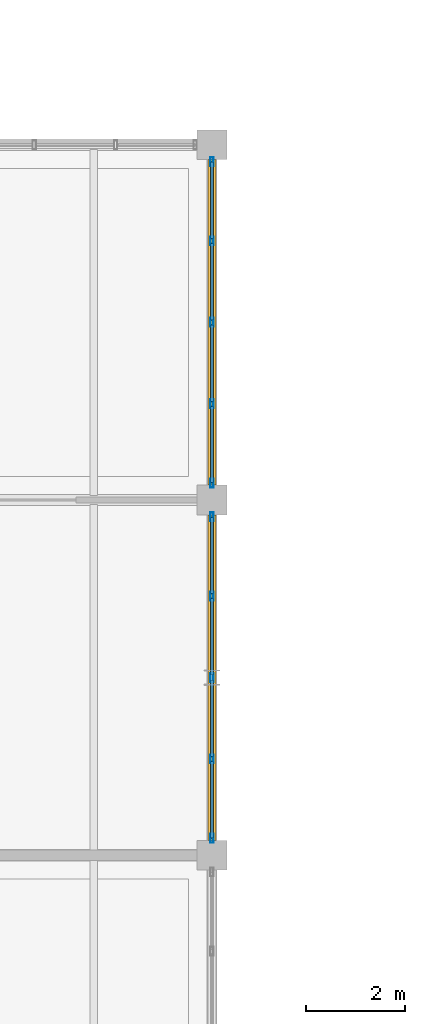
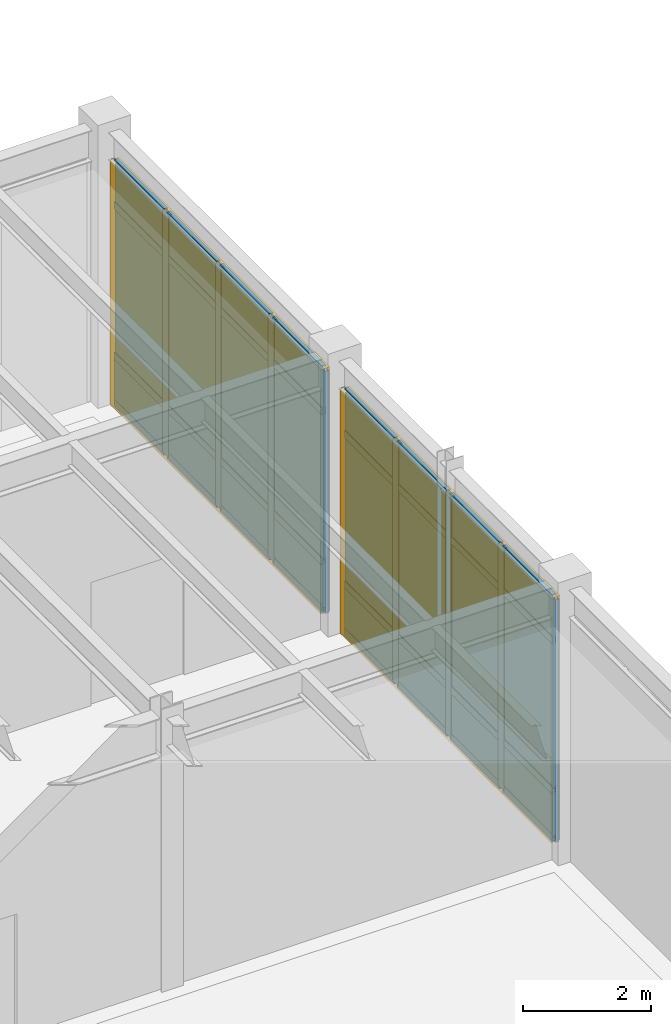
# One storey, part 82 of 97: 42 members, 16 plates, 2 curtain walls.
"""IFC4 building model written with IfcOpenShell, lengths in metres."""

from ifc_helpers import new_model, si_unit, direction, frame, origin, origin_2d, place, context, subcontext, project, spatial, rectangle, hollow_rectangle, extrude, material, layer, layer_set, material_profile, profile_set, type_object, element, aggregate, save


model = new_model("IFC4")

# Units and contexts
model_context = context("Model", 3, precision=1e-05, world=origin(), true_north=direction((0.0, 1.0)))
body_context = subcontext(model_context, "Body", "Model", "MODEL_VIEW")
ifc_project = project(units=[si_unit("LENGTHUNIT", "METRE"), si_unit("AREAUNIT", "SQUARE_METRE"), si_unit("VOLUMEUNIT", "CUBIC_METRE"), si_unit("PLANEANGLEUNIT", "RADIAN"), si_unit("MASSUNIT", "GRAM", prefix="KILO")], contexts=[model_context])

# Member
ifc_material_1 = material(Name="Anodized Aluminium 6063-T6", Category="aluminium")
ifc_material_profile_1 = material_profile(ifc_material_1, hollow_rectangle(XDim=0.06494140625, YDim=0.179931640625, WallThickness=0.00390625, at=origin_2d()), Name="ALU 65x180x4")
ifc_profile_set_1 = profile_set([ifc_material_profile_1], Name="Anodized Aluminium 6063-T6")
member_type_1 = type_object("IfcMemberType", Name="CWM-65X150", PredefinedType="MULLION", material=ifc_profile_set_1)
site_placement = place(None, origin())
building_placement = place(site_placement, origin())
storey_placement = place(building_placement, origin())
member_1_placement = place(storey_placement, frame((144.0, 50.06005859375, 0.02001953125), z_axis=(0.0, 0.0, 1.0), x_axis=(1.0, 0.0, 0.0)))
member_1 = element("IfcMember", 1, at=member_1_placement, type_object=member_type_1, Name="Curtain wall mullion CW-L01-19-06-E-00", PredefinedType="MULLION", context=body_context, shape_type="SweptSolid", body=[
    extrude(hollow_rectangle(XDim=0.06494140625, YDim=0.179931640625, WallThickness=0.00390625, at=origin_2d()), origin(), (0.0, 0.0, 1.0), 4.626953125),
])

member_2_placement = place(storey_placement, frame((144.0, 48.449951171875, 0.02001953125), z_axis=(0.0, 0.0, 1.0), x_axis=(1.0, 0.0, 0.0)))
member_2 = element("IfcMember", 2, at=member_2_placement, type_object=member_type_1, Name="Curtain wall mullion CW-L01-19-06-E-01", PredefinedType="MULLION", context=body_context, shape_type="SweptSolid", body=[
    extrude(hollow_rectangle(XDim=0.06494140625, YDim=0.179931640625, WallThickness=0.00390625, at=origin_2d()), origin(), (0.0, 0.0, 1.0), 4.626953125),
])

member_3_placement = place(storey_placement, frame((144.0, 46.800048828125, 0.02001953125), z_axis=(0.0, 0.0, 1.0), x_axis=(1.0, 0.0, 0.0)))
member_3 = element("IfcMember", 3, at=member_3_placement, type_object=member_type_1, Name="Curtain wall mullion CW-L01-19-06-E-02", PredefinedType="MULLION", context=body_context, shape_type="SweptSolid", body=[
    extrude(hollow_rectangle(XDim=0.06494140625, YDim=0.179931640625, WallThickness=0.00390625, at=origin_2d()), origin(), (0.0, 0.0, 1.0), 4.626953125),
])

member_4_placement = place(storey_placement, frame((144.0, 45.14990234375, 0.02001953125), z_axis=(0.0, 0.0, 1.0), x_axis=(1.0, 0.0, 0.0)))
member_4 = element("IfcMember", 4, at=member_4_placement, type_object=member_type_1, Name="Curtain wall mullion CW-L01-19-06-E-03", PredefinedType="MULLION", context=body_context, shape_type="SweptSolid", body=[
    extrude(hollow_rectangle(XDim=0.06494140625, YDim=0.179931640625, WallThickness=0.00390625, at=origin_2d()), origin(), (0.0, 0.0, 1.0), 4.626953125),
])

member_5_placement = place(storey_placement, frame((144.0, 43.5400390625, 0.02001953125), z_axis=(0.0, 0.0, 1.0), x_axis=(1.0, 0.0, 0.0)))
member_5 = element("IfcMember", 5, at=member_5_placement, type_object=member_type_1, Name="Curtain wall mullion CW-L01-19-06-E-04", PredefinedType="MULLION", context=body_context, shape_type="SweptSolid", body=[
    extrude(hollow_rectangle(XDim=0.06494140625, YDim=0.179931640625, WallThickness=0.00390625, at=origin_2d()), origin(), (0.0, 0.0, 1.0), 4.626953125),
])

member_6_placement = place(storey_placement, frame((144.0, 57.260009765625, 0.02001953125), z_axis=(0.0, 0.0, 1.0), x_axis=(1.0, 0.0, 0.0)))
member_6 = element("IfcMember", 6, at=member_6_placement, type_object=member_type_1, Name="Curtain wall mullion CW-L01-19-07-E-00", PredefinedType="MULLION", context=body_context, shape_type="SweptSolid", body=[
    extrude(hollow_rectangle(XDim=0.06494140625, YDim=0.179931640625, WallThickness=0.00390625, at=origin_2d()), origin(), (0.0, 0.0, 1.0), 4.626953125),
])

member_7_placement = place(storey_placement, frame((144.0, 55.64990234375, 0.02001953125), z_axis=(0.0, 0.0, 1.0), x_axis=(1.0, 0.0, 0.0)))
member_7 = element("IfcMember", 7, at=member_7_placement, type_object=member_type_1, Name="Curtain wall mullion CW-L01-19-07-E-01", PredefinedType="MULLION", context=body_context, shape_type="SweptSolid", body=[
    extrude(hollow_rectangle(XDim=0.06494140625, YDim=0.179931640625, WallThickness=0.00390625, at=origin_2d()), origin(), (0.0, 0.0, 1.0), 4.626953125),
])

member_8_placement = place(storey_placement, frame((144.0, 54.0, 0.02001953125), z_axis=(0.0, 0.0, 1.0), x_axis=(1.0, 0.0, 0.0)))
member_8 = element("IfcMember", 8, at=member_8_placement, type_object=member_type_1, Name="Curtain wall mullion CW-L01-19-07-E-02", PredefinedType="MULLION", context=body_context, shape_type="SweptSolid", body=[
    extrude(hollow_rectangle(XDim=0.06494140625, YDim=0.179931640625, WallThickness=0.00390625, at=origin_2d()), origin(), (0.0, 0.0, 1.0), 4.626953125),
])

member_9_placement = place(storey_placement, frame((144.0, 52.35009765625, 0.02001953125), z_axis=(0.0, 0.0, 1.0), x_axis=(1.0, 0.0, 0.0)))
member_9 = element("IfcMember", 9, at=member_9_placement, type_object=member_type_1, Name="Curtain wall mullion CW-L01-19-07-E-03", PredefinedType="MULLION", context=body_context, shape_type="SweptSolid", body=[
    extrude(hollow_rectangle(XDim=0.06494140625, YDim=0.179931640625, WallThickness=0.00390625, at=origin_2d()), origin(), (0.0, 0.0, 1.0), 4.626953125),
])

member_10_placement = place(storey_placement, frame((144.0, 50.739990234375, 0.02001953125), z_axis=(0.0, 0.0, 1.0), x_axis=(1.0, 0.0, 0.0)))
member_10 = element("IfcMember", 10, at=member_10_placement, type_object=member_type_1, Name="Curtain wall mullion CW-L01-19-07-E-04", PredefinedType="MULLION", context=body_context, shape_type="SweptSolid", body=[
    extrude(hollow_rectangle(XDim=0.06494140625, YDim=0.179931640625, WallThickness=0.00390625, at=origin_2d()), origin(), (0.0, 0.0, 1.0), 4.626953125),
])

ifc_material_profile_2 = material_profile(ifc_material_1, hollow_rectangle(XDim=0.06494140625, YDim=0.139892578125, WallThickness=0.00390625, at=origin_2d()), Name="ALU 65x140x4")
ifc_profile_set_2 = profile_set([ifc_material_profile_2], Name="Anodized Aluminium 6063-T6")
member_type_2 = type_object("IfcMemberType", Name="CWT-65X120", PredefinedType="USERDEFINED", material=ifc_profile_set_2)
member_11_placement = place(storey_placement, frame((144.0, 50.050048828125, 0.050048828125), z_axis=(0.0, -1.0, 0.0), x_axis=(1.0, 0.0, 0.0)))
member_11 = element("IfcMember", 11, at=member_11_placement, type_object=member_type_2, Name="Curtain wall transom CW-L01-19-06-E-1.01", ObjectType="TRANSOM", PredefinedType="USERDEFINED", context=body_context, shape_type="SweptSolid", body=[
    extrude(hollow_rectangle(XDim=0.06494140625, YDim=0.139892578125, WallThickness=0.00390625, at=origin_2d()), origin(), (0.0, 0.0, 1.0), 1.550048828125),
])

member_12_placement = place(storey_placement, frame((144.0, 48.39990234375, 0.050048828125), z_axis=(0.0, -1.0, 0.0), x_axis=(1.0, 0.0, 0.0)))
member_12 = element("IfcMember", 12, at=member_12_placement, type_object=member_type_2, Name="Curtain wall transom CW-L01-19-06-E-1.02", ObjectType="TRANSOM", PredefinedType="USERDEFINED", context=body_context, shape_type="SweptSolid", body=[
    extrude(hollow_rectangle(XDim=0.06494140625, YDim=0.139892578125, WallThickness=0.00390625, at=origin_2d()), origin(), (0.0, 0.0, 1.0), 1.5498046875),
])

member_13_placement = place(storey_placement, frame((144.0, 46.75, 0.050048828125), z_axis=(0.0, -1.0, 0.0), x_axis=(1.0, 0.0, 0.0)))
member_13 = element("IfcMember", 13, at=member_13_placement, type_object=member_type_2, Name="Curtain wall transom CW-L01-19-06-E-1.03", ObjectType="TRANSOM", PredefinedType="USERDEFINED", context=body_context, shape_type="SweptSolid", body=[
    extrude(hollow_rectangle(XDim=0.06494140625, YDim=0.139892578125, WallThickness=0.00390625, at=origin_2d()), origin(), (0.0, 0.0, 1.0), 1.550048828125),
])

member_14_placement = place(storey_placement, frame((144.0, 45.10009765625, 0.050048828125), z_axis=(0.0, -1.0, 0.0), x_axis=(1.0, 0.0, 0.0)))
member_14 = element("IfcMember", 14, at=member_14_placement, type_object=member_type_2, Name="Curtain wall transom CW-L01-19-06-E-1.04", ObjectType="TRANSOM", PredefinedType="USERDEFINED", context=body_context, shape_type="SweptSolid", body=[
    extrude(hollow_rectangle(XDim=0.06494140625, YDim=0.139892578125, WallThickness=0.00390625, at=origin_2d()), origin(), (0.0, 0.0, 1.0), 1.550048828125),
])

member_15_placement = place(storey_placement, frame((144.0, 50.050048828125, 0.949951171875), z_axis=(0.0, -1.0, 0.0), x_axis=(1.0, 0.0, 0.0)))
member_15 = element("IfcMember", 15, at=member_15_placement, type_object=member_type_2, Name="Curtain wall transom CW-L01-19-06-E-2.01", ObjectType="TRANSOM", PredefinedType="USERDEFINED", context=body_context, shape_type="SweptSolid", body=[
    extrude(hollow_rectangle(XDim=0.06494140625, YDim=0.139892578125, WallThickness=0.00390625, at=origin_2d()), origin(), (0.0, 0.0, 1.0), 1.550048828125),
])

member_16_placement = place(storey_placement, frame((144.0, 48.39990234375, 0.949951171875), z_axis=(0.0, -1.0, 0.0), x_axis=(1.0, 0.0, 0.0)))
member_16 = element("IfcMember", 16, at=member_16_placement, type_object=member_type_2, Name="Curtain wall transom CW-L01-19-06-E-2.02", ObjectType="TRANSOM", PredefinedType="USERDEFINED", context=body_context, shape_type="SweptSolid", body=[
    extrude(hollow_rectangle(XDim=0.06494140625, YDim=0.139892578125, WallThickness=0.00390625, at=origin_2d()), origin(), (0.0, 0.0, 1.0), 1.5498046875),
])

member_17_placement = place(storey_placement, frame((144.0, 46.75, 0.949951171875), z_axis=(0.0, -1.0, 0.0), x_axis=(1.0, 0.0, 0.0)))
member_17 = element("IfcMember", 17, at=member_17_placement, type_object=member_type_2, Name="Curtain wall transom CW-L01-19-06-E-2.03", ObjectType="TRANSOM", PredefinedType="USERDEFINED", context=body_context, shape_type="SweptSolid", body=[
    extrude(hollow_rectangle(XDim=0.06494140625, YDim=0.139892578125, WallThickness=0.00390625, at=origin_2d()), origin(), (0.0, 0.0, 1.0), 1.550048828125),
])

member_18_placement = place(storey_placement, frame((144.0, 45.10009765625, 0.949951171875), z_axis=(0.0, -1.0, 0.0), x_axis=(1.0, 0.0, 0.0)))
member_18 = element("IfcMember", 18, at=member_18_placement, type_object=member_type_2, Name="Curtain wall transom CW-L01-19-06-E-2.04", ObjectType="TRANSOM", PredefinedType="USERDEFINED", context=body_context, shape_type="SweptSolid", body=[
    extrude(hollow_rectangle(XDim=0.06494140625, YDim=0.139892578125, WallThickness=0.00390625, at=origin_2d()), origin(), (0.0, 0.0, 1.0), 1.550048828125),
])

member_19_placement = place(storey_placement, frame((144.0, 50.050048828125, 3.81689453125), z_axis=(0.0, -1.0, 0.0), x_axis=(1.0, 0.0, 0.0)))
member_19 = element("IfcMember", 19, at=member_19_placement, type_object=member_type_2, Name="Curtain wall transom CW-L01-19-06-E-3.01", ObjectType="TRANSOM", PredefinedType="USERDEFINED", context=body_context, shape_type="SweptSolid", body=[
    extrude(hollow_rectangle(XDim=0.06494140625, YDim=0.139892578125, WallThickness=0.00390625, at=origin_2d()), origin(), (0.0, 0.0, 1.0), 1.550048828125),
])

member_20_placement = place(storey_placement, frame((144.0, 48.39990234375, 3.81689453125), z_axis=(0.0, -1.0, 0.0), x_axis=(1.0, 0.0, 0.0)))
member_20 = element("IfcMember", 20, at=member_20_placement, type_object=member_type_2, Name="Curtain wall transom CW-L01-19-06-E-3.02", ObjectType="TRANSOM", PredefinedType="USERDEFINED", context=body_context, shape_type="SweptSolid", body=[
    extrude(hollow_rectangle(XDim=0.06494140625, YDim=0.139892578125, WallThickness=0.00390625, at=origin_2d()), origin(), (0.0, 0.0, 1.0), 1.5498046875),
])

member_21_placement = place(storey_placement, frame((144.0, 46.75, 3.81689453125), z_axis=(0.0, -1.0, 0.0), x_axis=(1.0, 0.0, 0.0)))
member_21 = element("IfcMember", 21, at=member_21_placement, type_object=member_type_2, Name="Curtain wall transom CW-L01-19-06-E-3.03", ObjectType="TRANSOM", PredefinedType="USERDEFINED", context=body_context, shape_type="SweptSolid", body=[
    extrude(hollow_rectangle(XDim=0.06494140625, YDim=0.139892578125, WallThickness=0.00390625, at=origin_2d()), origin(), (0.0, 0.0, 1.0), 1.550048828125),
])

member_22_placement = place(storey_placement, frame((144.0, 45.10009765625, 3.81689453125), z_axis=(0.0, -1.0, 0.0), x_axis=(1.0, 0.0, 0.0)))
member_22 = element("IfcMember", 22, at=member_22_placement, type_object=member_type_2, Name="Curtain wall transom CW-L01-19-06-E-3.04", ObjectType="TRANSOM", PredefinedType="USERDEFINED", context=body_context, shape_type="SweptSolid", body=[
    extrude(hollow_rectangle(XDim=0.06494140625, YDim=0.139892578125, WallThickness=0.00390625, at=origin_2d()), origin(), (0.0, 0.0, 1.0), 1.550048828125),
])

member_23_placement = place(storey_placement, frame((144.0, 50.050048828125, 4.616943359375), z_axis=(0.0, -1.0, 0.0), x_axis=(1.0, 0.0, 0.0)))
member_23 = element("IfcMember", 23, at=member_23_placement, type_object=member_type_2, Name="Curtain wall transom CW-L01-19-06-E-4.01", ObjectType="TRANSOM", PredefinedType="USERDEFINED", context=body_context, shape_type="SweptSolid", body=[
    extrude(hollow_rectangle(XDim=0.06494140625, YDim=0.139892578125, WallThickness=0.00390625, at=origin_2d()), origin(), (0.0, 0.0, 1.0), 1.550048828125),
])

member_24_placement = place(storey_placement, frame((144.0, 48.39990234375, 4.616943359375), z_axis=(0.0, -1.0, 0.0), x_axis=(1.0, 0.0, 0.0)))
member_24 = element("IfcMember", 24, at=member_24_placement, type_object=member_type_2, Name="Curtain wall transom CW-L01-19-06-E-4.02", ObjectType="TRANSOM", PredefinedType="USERDEFINED", context=body_context, shape_type="SweptSolid", body=[
    extrude(hollow_rectangle(XDim=0.06494140625, YDim=0.139892578125, WallThickness=0.00390625, at=origin_2d()), origin(), (0.0, 0.0, 1.0), 1.5498046875),
])

member_25_placement = place(storey_placement, frame((144.0, 46.75, 4.616943359375), z_axis=(0.0, -1.0, 0.0), x_axis=(1.0, 0.0, 0.0)))
member_25 = element("IfcMember", 25, at=member_25_placement, type_object=member_type_2, Name="Curtain wall transom CW-L01-19-06-E-4.03", ObjectType="TRANSOM", PredefinedType="USERDEFINED", context=body_context, shape_type="SweptSolid", body=[
    extrude(hollow_rectangle(XDim=0.06494140625, YDim=0.139892578125, WallThickness=0.00390625, at=origin_2d()), origin(), (0.0, 0.0, 1.0), 1.550048828125),
])

member_26_placement = place(storey_placement, frame((144.0, 45.10009765625, 4.616943359375), z_axis=(0.0, -1.0, 0.0), x_axis=(1.0, 0.0, 0.0)))
member_26 = element("IfcMember", 26, at=member_26_placement, type_object=member_type_2, Name="Curtain wall transom CW-L01-19-06-E-4.04", ObjectType="TRANSOM", PredefinedType="USERDEFINED", context=body_context, shape_type="SweptSolid", body=[
    extrude(hollow_rectangle(XDim=0.06494140625, YDim=0.139892578125, WallThickness=0.00390625, at=origin_2d()), origin(), (0.0, 0.0, 1.0), 1.550048828125),
])

member_27_placement = place(storey_placement, frame((144.0, 57.25, 0.050048828125), z_axis=(0.0, -1.0, 0.0), x_axis=(1.0, 0.0, 0.0)))
member_27 = element("IfcMember", 27, at=member_27_placement, type_object=member_type_2, Name="Curtain wall transom CW-L01-19-07-E-1.01", ObjectType="TRANSOM", PredefinedType="USERDEFINED", context=body_context, shape_type="SweptSolid", body=[
    extrude(hollow_rectangle(XDim=0.06494140625, YDim=0.139892578125, WallThickness=0.00390625, at=origin_2d()), origin(), (0.0, 0.0, 1.0), 1.550048828125),
])

member_28_placement = place(storey_placement, frame((144.0, 55.60009765625, 0.050048828125), z_axis=(0.0, -1.0, 0.0), x_axis=(1.0, 0.0, 0.0)))
member_28 = element("IfcMember", 28, at=member_28_placement, type_object=member_type_2, Name="Curtain wall transom CW-L01-19-07-E-1.02", ObjectType="TRANSOM", PredefinedType="USERDEFINED", context=body_context, shape_type="SweptSolid", body=[
    extrude(hollow_rectangle(XDim=0.06494140625, YDim=0.139892578125, WallThickness=0.00390625, at=origin_2d()), origin(), (0.0, 0.0, 1.0), 1.550048828125),
])

member_29_placement = place(storey_placement, frame((144.0, 53.949951171875, 0.050048828125), z_axis=(0.0, -1.0, 0.0), x_axis=(1.0, 0.0, 0.0)))
member_29 = element("IfcMember", 29, at=member_29_placement, type_object=member_type_2, Name="Curtain wall transom CW-L01-19-07-E-1.03", ObjectType="TRANSOM", PredefinedType="USERDEFINED", context=body_context, shape_type="SweptSolid", body=[
    extrude(hollow_rectangle(XDim=0.06494140625, YDim=0.139892578125, WallThickness=0.00390625, at=origin_2d()), origin(), (0.0, 0.0, 1.0), 1.550048828125),
])

member_30_placement = place(storey_placement, frame((144.0, 52.300048828125, 0.050048828125), z_axis=(0.0, -1.0, 0.0), x_axis=(1.0, 0.0, 0.0)))
member_30 = element("IfcMember", 30, at=member_30_placement, type_object=member_type_2, Name="Curtain wall transom CW-L01-19-07-E-1.04", ObjectType="TRANSOM", PredefinedType="USERDEFINED", context=body_context, shape_type="SweptSolid", body=[
    extrude(hollow_rectangle(XDim=0.06494140625, YDim=0.139892578125, WallThickness=0.00390625, at=origin_2d()), origin(), (0.0, 0.0, 1.0), 1.550048828125),
])

member_31_placement = place(storey_placement, frame((144.0, 57.25, 0.949951171875), z_axis=(0.0, -1.0, 0.0), x_axis=(1.0, 0.0, 0.0)))
member_31 = element("IfcMember", 31, at=member_31_placement, type_object=member_type_2, Name="Curtain wall transom CW-L01-19-07-E-2.01", ObjectType="TRANSOM", PredefinedType="USERDEFINED", context=body_context, shape_type="SweptSolid", body=[
    extrude(hollow_rectangle(XDim=0.06494140625, YDim=0.139892578125, WallThickness=0.00390625, at=origin_2d()), origin(), (0.0, 0.0, 1.0), 1.550048828125),
])

member_32_placement = place(storey_placement, frame((144.0, 55.60009765625, 0.949951171875), z_axis=(0.0, -1.0, 0.0), x_axis=(1.0, 0.0, 0.0)))
member_32 = element("IfcMember", 32, at=member_32_placement, type_object=member_type_2, Name="Curtain wall transom CW-L01-19-07-E-2.02", ObjectType="TRANSOM", PredefinedType="USERDEFINED", context=body_context, shape_type="SweptSolid", body=[
    extrude(hollow_rectangle(XDim=0.06494140625, YDim=0.139892578125, WallThickness=0.00390625, at=origin_2d()), origin(), (0.0, 0.0, 1.0), 1.550048828125),
])

member_33_placement = place(storey_placement, frame((144.0, 53.949951171875, 0.949951171875), z_axis=(0.0, -1.0, 0.0), x_axis=(1.0, 0.0, 0.0)))
member_33 = element("IfcMember", 33, at=member_33_placement, type_object=member_type_2, Name="Curtain wall transom CW-L01-19-07-E-2.03", ObjectType="TRANSOM", PredefinedType="USERDEFINED", context=body_context, shape_type="SweptSolid", body=[
    extrude(hollow_rectangle(XDim=0.06494140625, YDim=0.139892578125, WallThickness=0.00390625, at=origin_2d()), origin(), (0.0, 0.0, 1.0), 1.550048828125),
])

member_34_placement = place(storey_placement, frame((144.0, 52.300048828125, 0.949951171875), z_axis=(0.0, -1.0, 0.0), x_axis=(1.0, 0.0, 0.0)))
member_34 = element("IfcMember", 34, at=member_34_placement, type_object=member_type_2, Name="Curtain wall transom CW-L01-19-07-E-2.04", ObjectType="TRANSOM", PredefinedType="USERDEFINED", context=body_context, shape_type="SweptSolid", body=[
    extrude(hollow_rectangle(XDim=0.06494140625, YDim=0.139892578125, WallThickness=0.00390625, at=origin_2d()), origin(), (0.0, 0.0, 1.0), 1.550048828125),
])

member_35_placement = place(storey_placement, frame((144.0, 57.25, 3.81689453125), z_axis=(0.0, -1.0, 0.0), x_axis=(1.0, 0.0, 0.0)))
member_35 = element("IfcMember", 35, at=member_35_placement, type_object=member_type_2, Name="Curtain wall transom CW-L01-19-07-E-3.01", ObjectType="TRANSOM", PredefinedType="USERDEFINED", context=body_context, shape_type="SweptSolid", body=[
    extrude(hollow_rectangle(XDim=0.06494140625, YDim=0.139892578125, WallThickness=0.00390625, at=origin_2d()), origin(), (0.0, 0.0, 1.0), 1.550048828125),
])

member_36_placement = place(storey_placement, frame((144.0, 55.60009765625, 3.81689453125), z_axis=(0.0, -1.0, 0.0), x_axis=(1.0, 0.0, 0.0)))
member_36 = element("IfcMember", 36, at=member_36_placement, type_object=member_type_2, Name="Curtain wall transom CW-L01-19-07-E-3.02", ObjectType="TRANSOM", PredefinedType="USERDEFINED", context=body_context, shape_type="SweptSolid", body=[
    extrude(hollow_rectangle(XDim=0.06494140625, YDim=0.139892578125, WallThickness=0.00390625, at=origin_2d()), origin(), (0.0, 0.0, 1.0), 1.550048828125),
])

member_37_placement = place(storey_placement, frame((144.0, 53.949951171875, 3.81689453125), z_axis=(0.0, -1.0, 0.0), x_axis=(1.0, 0.0, 0.0)))
member_37 = element("IfcMember", 37, at=member_37_placement, type_object=member_type_2, Name="Curtain wall transom CW-L01-19-07-E-3.03", ObjectType="TRANSOM", PredefinedType="USERDEFINED", context=body_context, shape_type="SweptSolid", body=[
    extrude(hollow_rectangle(XDim=0.06494140625, YDim=0.139892578125, WallThickness=0.00390625, at=origin_2d()), origin(), (0.0, 0.0, 1.0), 1.550048828125),
])

member_38_placement = place(storey_placement, frame((144.0, 52.300048828125, 3.81689453125), z_axis=(0.0, -1.0, 0.0), x_axis=(1.0, 0.0, 0.0)))
member_38 = element("IfcMember", 38, at=member_38_placement, type_object=member_type_2, Name="Curtain wall transom CW-L01-19-07-E-3.04", ObjectType="TRANSOM", PredefinedType="USERDEFINED", context=body_context, shape_type="SweptSolid", body=[
    extrude(hollow_rectangle(XDim=0.06494140625, YDim=0.139892578125, WallThickness=0.00390625, at=origin_2d()), origin(), (0.0, 0.0, 1.0), 1.550048828125),
])

member_39_placement = place(storey_placement, frame((144.0, 57.25, 4.616943359375), z_axis=(0.0, -1.0, 0.0), x_axis=(1.0, 0.0, 0.0)))
member_39 = element("IfcMember", 39, at=member_39_placement, type_object=member_type_2, Name="Curtain wall transom CW-L01-19-07-E-4.01", ObjectType="TRANSOM", PredefinedType="USERDEFINED", context=body_context, shape_type="SweptSolid", body=[
    extrude(hollow_rectangle(XDim=0.06494140625, YDim=0.139892578125, WallThickness=0.00390625, at=origin_2d()), origin(), (0.0, 0.0, 1.0), 1.550048828125),
])

member_40_placement = place(storey_placement, frame((144.0, 55.60009765625, 4.616943359375), z_axis=(0.0, -1.0, 0.0), x_axis=(1.0, 0.0, 0.0)))
member_40 = element("IfcMember", 40, at=member_40_placement, type_object=member_type_2, Name="Curtain wall transom CW-L01-19-07-E-4.02", ObjectType="TRANSOM", PredefinedType="USERDEFINED", context=body_context, shape_type="SweptSolid", body=[
    extrude(hollow_rectangle(XDim=0.06494140625, YDim=0.139892578125, WallThickness=0.00390625, at=origin_2d()), origin(), (0.0, 0.0, 1.0), 1.550048828125),
])

member_41_placement = place(storey_placement, frame((144.0, 53.949951171875, 4.616943359375), z_axis=(0.0, -1.0, 0.0), x_axis=(1.0, 0.0, 0.0)))
member_41 = element("IfcMember", 41, at=member_41_placement, type_object=member_type_2, Name="Curtain wall transom CW-L01-19-07-E-4.03", ObjectType="TRANSOM", PredefinedType="USERDEFINED", context=body_context, shape_type="SweptSolid", body=[
    extrude(hollow_rectangle(XDim=0.06494140625, YDim=0.139892578125, WallThickness=0.00390625, at=origin_2d()), origin(), (0.0, 0.0, 1.0), 1.550048828125),
])

member_42_placement = place(storey_placement, frame((144.0, 52.300048828125, 4.616943359375), z_axis=(0.0, -1.0, 0.0), x_axis=(1.0, 0.0, 0.0)))
member_42 = element("IfcMember", 42, at=member_42_placement, type_object=member_type_2, Name="Curtain wall transom CW-L01-19-07-E-4.04", ObjectType="TRANSOM", PredefinedType="USERDEFINED", context=body_context, shape_type="SweptSolid", body=[
    extrude(hollow_rectangle(XDim=0.06494140625, YDim=0.139892578125, WallThickness=0.00390625, at=origin_2d()), origin(), (0.0, 0.0, 1.0), 1.550048828125),
])

# Plate
ifc_material_2 = material(Name="Double Low-E Insulated Glazing Unit", Category="glass")
ifc_layer_1 = layer(ifc_material_2, 0.0380859375)
ifc_layer_set_1 = layer_set([ifc_layer_1], Name="Double Low-E Insulated Glazing Unit")
plate_type_1 = type_object("IfcPlateType", Name="CWP-IGU-38", PredefinedType="CURTAIN_PANEL", material=ifc_layer_set_1)
plate_1_placement = place(storey_placement, frame((144.0, 49.27490234375, 0.990234375), z_axis=(0.0, 0.0, 1.0), x_axis=(0.0, -1.0, 0.0)))
plate_1 = element("IfcPlate", 43, at=plate_1_placement, type_object=plate_type_1, Name="Curtain wall vision glazing CW-L01-19-06-E-01", PredefinedType="CURTAIN_PANEL", context=body_context, shape_type="SweptSolid", body=[
    extrude(rectangle(XDim=1.56005859375, YDim=0.0400390625, at=origin_2d()), origin(), (0.0, 0.0, 1.0), 3.616943359375),
])

plate_2_placement = place(storey_placement, frame((144.0, 47.625, 0.990234375), z_axis=(0.0, 0.0, 1.0), x_axis=(0.0, -1.0, 0.0)))
plate_2 = element("IfcPlate", 44, at=plate_2_placement, type_object=plate_type_1, Name="Curtain wall vision glazing CW-L01-19-06-E-02", PredefinedType="CURTAIN_PANEL", context=body_context, shape_type="SweptSolid", body=[
    extrude(rectangle(XDim=1.56005859375, YDim=0.0400390625, at=origin_2d()), origin(), (0.0, 0.0, 1.0), 3.616943359375),
])

plate_3_placement = place(storey_placement, frame((144.0, 45.97509765625, 0.990234375), z_axis=(0.0, 0.0, 1.0), x_axis=(0.0, -1.0, 0.0)))
plate_3 = element("IfcPlate", 45, at=plate_3_placement, type_object=plate_type_1, Name="Curtain wall vision glazing CW-L01-19-06-E-03", PredefinedType="CURTAIN_PANEL", context=body_context, shape_type="SweptSolid", body=[
    extrude(rectangle(XDim=1.56005859375, YDim=0.0400390625, at=origin_2d()), origin(), (0.0, 0.0, 1.0), 3.616943359375),
])

plate_4_placement = place(storey_placement, frame((144.0, 44.324951171875, 0.990234375), z_axis=(0.0, 0.0, 1.0), x_axis=(0.0, -1.0, 0.0)))
plate_4 = element("IfcPlate", 46, at=plate_4_placement, type_object=plate_type_1, Name="Curtain wall vision glazing CW-L01-19-06-E-04", PredefinedType="CURTAIN_PANEL", context=body_context, shape_type="SweptSolid", body=[
    extrude(rectangle(XDim=1.56005859375, YDim=0.0400390625, at=origin_2d()), origin(), (0.0, 0.0, 1.0), 3.616943359375),
])

plate_5_placement = place(storey_placement, frame((144.0, 56.47509765625, 0.990234375), z_axis=(0.0, 0.0, 1.0), x_axis=(0.0, -1.0, 0.0)))
plate_5 = element("IfcPlate", 47, at=plate_5_placement, type_object=plate_type_1, Name="Curtain wall vision glazing CW-L01-19-07-E-01", PredefinedType="CURTAIN_PANEL", context=body_context, shape_type="SweptSolid", body=[
    extrude(rectangle(XDim=1.56005859375, YDim=0.0400390625, at=origin_2d()), origin(), (0.0, 0.0, 1.0), 3.616943359375),
])

plate_6_placement = place(storey_placement, frame((144.0, 54.824951171875, 0.990234375), z_axis=(0.0, 0.0, 1.0), x_axis=(0.0, -1.0, 0.0)))
plate_6 = element("IfcPlate", 48, at=plate_6_placement, type_object=plate_type_1, Name="Curtain wall vision glazing CW-L01-19-07-E-02", PredefinedType="CURTAIN_PANEL", context=body_context, shape_type="SweptSolid", body=[
    extrude(rectangle(XDim=1.56005859375, YDim=0.0400390625, at=origin_2d()), origin(), (0.0, 0.0, 1.0), 3.616943359375),
])

plate_7_placement = place(storey_placement, frame((144.0, 53.175048828125, 0.990234375), z_axis=(0.0, 0.0, 1.0), x_axis=(0.0, -1.0, 0.0)))
plate_7 = element("IfcPlate", 49, at=plate_7_placement, type_object=plate_type_1, Name="Curtain wall vision glazing CW-L01-19-07-E-03", PredefinedType="CURTAIN_PANEL", context=body_context, shape_type="SweptSolid", body=[
    extrude(rectangle(XDim=1.56005859375, YDim=0.0400390625, at=origin_2d()), origin(), (0.0, 0.0, 1.0), 3.616943359375),
])

plate_8_placement = place(storey_placement, frame((144.0, 51.52490234375, 0.990234375), z_axis=(0.0, 0.0, 1.0), x_axis=(0.0, -1.0, 0.0)))
plate_8 = element("IfcPlate", 50, at=plate_8_placement, type_object=plate_type_1, Name="Curtain wall vision glazing CW-L01-19-07-E-04", PredefinedType="CURTAIN_PANEL", context=body_context, shape_type="SweptSolid", body=[
    extrude(rectangle(XDim=1.56005859375, YDim=0.0400390625, at=origin_2d()), origin(), (0.0, 0.0, 1.0), 3.616943359375),
])

ifc_material_3 = material(Name="Insulated Bronze Aluminium Spandrel", Category="aluminium")
ifc_layer_2 = layer(ifc_material_3, 0.06005859375)
ifc_layer_set_2 = layer_set([ifc_layer_2], Name="Insulated Bronze Aluminium Spandrel")
plate_type_2 = type_object("IfcPlateType", Name="CWP-SPN-60", PredefinedType="CURTAIN_PANEL", material=ifc_layer_set_2)
plate_9_placement = place(storey_placement, frame((144.0, 49.27490234375, 0.080078125), z_axis=(0.0, 0.0, 1.0), x_axis=(0.0, -1.0, 0.0)))
plate_9 = element("IfcPlate", 51, at=plate_9_placement, type_object=plate_type_2, Name="Curtain wall spandrel panel CW-L01-19-06-E-01", PredefinedType="CURTAIN_PANEL", context=body_context, shape_type="SweptSolid", body=[
    extrude(rectangle(XDim=1.56005859375, YDim=0.06005859375, at=origin_2d()), origin(), (0.0, 0.0, 1.0), 0.840087890625),
])

plate_10_placement = place(storey_placement, frame((144.0, 47.625, 0.080078125), z_axis=(0.0, 0.0, 1.0), x_axis=(0.0, -1.0, 0.0)))
plate_10 = element("IfcPlate", 52, at=plate_10_placement, type_object=plate_type_2, Name="Curtain wall spandrel panel CW-L01-19-06-E-02", PredefinedType="CURTAIN_PANEL", context=body_context, shape_type="SweptSolid", body=[
    extrude(rectangle(XDim=1.56005859375, YDim=0.06005859375, at=origin_2d()), origin(), (0.0, 0.0, 1.0), 0.840087890625),
])

plate_11_placement = place(storey_placement, frame((144.0, 45.97509765625, 0.080078125), z_axis=(0.0, 0.0, 1.0), x_axis=(0.0, -1.0, 0.0)))
plate_11 = element("IfcPlate", 53, at=plate_11_placement, type_object=plate_type_2, Name="Curtain wall spandrel panel CW-L01-19-06-E-03", PredefinedType="CURTAIN_PANEL", context=body_context, shape_type="SweptSolid", body=[
    extrude(rectangle(XDim=1.56005859375, YDim=0.06005859375, at=origin_2d()), origin(), (0.0, 0.0, 1.0), 0.840087890625),
])

plate_12_placement = place(storey_placement, frame((144.0, 44.324951171875, 0.080078125), z_axis=(0.0, 0.0, 1.0), x_axis=(0.0, -1.0, 0.0)))
plate_12 = element("IfcPlate", 54, at=plate_12_placement, type_object=plate_type_2, Name="Curtain wall spandrel panel CW-L01-19-06-E-04", PredefinedType="CURTAIN_PANEL", context=body_context, shape_type="SweptSolid", body=[
    extrude(rectangle(XDim=1.56005859375, YDim=0.06005859375, at=origin_2d()), origin(), (0.0, 0.0, 1.0), 0.840087890625),
])

plate_13_placement = place(storey_placement, frame((144.0, 56.47509765625, 0.080078125), z_axis=(0.0, 0.0, 1.0), x_axis=(0.0, -1.0, 0.0)))
plate_13 = element("IfcPlate", 55, at=plate_13_placement, type_object=plate_type_2, Name="Curtain wall spandrel panel CW-L01-19-07-E-01", PredefinedType="CURTAIN_PANEL", context=body_context, shape_type="SweptSolid", body=[
    extrude(rectangle(XDim=1.56005859375, YDim=0.06005859375, at=origin_2d()), origin(), (0.0, 0.0, 1.0), 0.840087890625),
])

plate_14_placement = place(storey_placement, frame((144.0, 54.824951171875, 0.080078125), z_axis=(0.0, 0.0, 1.0), x_axis=(0.0, -1.0, 0.0)))
plate_14 = element("IfcPlate", 56, at=plate_14_placement, type_object=plate_type_2, Name="Curtain wall spandrel panel CW-L01-19-07-E-02", PredefinedType="CURTAIN_PANEL", context=body_context, shape_type="SweptSolid", body=[
    extrude(rectangle(XDim=1.56005859375, YDim=0.06005859375, at=origin_2d()), origin(), (0.0, 0.0, 1.0), 0.840087890625),
])

plate_15_placement = place(storey_placement, frame((144.0, 53.175048828125, 0.080078125), z_axis=(0.0, 0.0, 1.0), x_axis=(0.0, -1.0, 0.0)))
plate_15 = element("IfcPlate", 57, at=plate_15_placement, type_object=plate_type_2, Name="Curtain wall spandrel panel CW-L01-19-07-E-03", PredefinedType="CURTAIN_PANEL", context=body_context, shape_type="SweptSolid", body=[
    extrude(rectangle(XDim=1.56005859375, YDim=0.06005859375, at=origin_2d()), origin(), (0.0, 0.0, 1.0), 0.840087890625),
])

plate_16_placement = place(storey_placement, frame((144.0, 51.52490234375, 0.080078125), z_axis=(0.0, 0.0, 1.0), x_axis=(0.0, -1.0, 0.0)))
plate_16 = element("IfcPlate", 58, at=plate_16_placement, type_object=plate_type_2, Name="Curtain wall spandrel panel CW-L01-19-07-E-04", PredefinedType="CURTAIN_PANEL", context=body_context, shape_type="SweptSolid", body=[
    extrude(rectangle(XDim=1.56005859375, YDim=0.06005859375, at=origin_2d()), origin(), (0.0, 0.0, 1.0), 0.840087890625),
])

# Site, building, storey
site = spatial("IfcSite", under=ifc_project, at=site_placement, CompositionType="ELEMENT")
building = spatial("IfcBuilding", under=site, at=building_placement, Name="Sillqori Civic Hall", CompositionType="ELEMENT")
storey = spatial("IfcBuildingStorey", under=building, at=storey_placement, Name="L01", CompositionType="ELEMENT", Elevation=0.0)

# Curtain wall
ifc_material_4 = material(Name="Anodized Aluminium Curtain Wall System", Category="aluminium")
curtain_wall_type = type_object("IfcCurtainWallType", Name="CW-SF-540", PredefinedType="NOTDEFINED", material=ifc_material_4)
curtain_wall_1_placement = place(storey_placement, frame((144.0, 46.800048828125, 0.0), z_axis=(0.0, 0.0, 1.0), x_axis=(0.0, -1.0, 0.0)))
curtain_wall_1 = element("IfcCurtainWall", 59, at=curtain_wall_1_placement, inside=storey, type_object=curtain_wall_type, Name="L01 unitised curtain wall CW-L01-19-06-E", PredefinedType="NOTDEFINED", context=body_context, shape_type="SweptSolid", body=[
    extrude(rectangle(XDim=6.60009765625, YDim=0.159912109375, at=origin_2d()), origin(), (0.0, 0.0, 1.0), 4.6669921875),
])

aggregate(curtain_wall_1, [member_1, member_2, member_3, member_4, member_5, member_11, member_12, member_13, member_14, member_15, member_16, member_17, member_18, member_19, member_20, member_21, member_22, member_23, member_24, member_25, member_26, plate_9, plate_1, plate_10, plate_2, plate_11, plate_3, plate_12, plate_4])

curtain_wall_2_placement = place(storey_placement, frame((144.0, 54.0, 0.0), z_axis=(0.0, 0.0, 1.0), x_axis=(0.0, -1.0, 0.0)))
curtain_wall_2 = element("IfcCurtainWall", 60, at=curtain_wall_2_placement, inside=storey, type_object=curtain_wall_type, Name="L01 unitised curtain wall CW-L01-19-07-E", PredefinedType="NOTDEFINED", context=body_context, shape_type="SweptSolid", body=[
    extrude(rectangle(XDim=6.60009765625, YDim=0.159912109375, at=origin_2d()), origin(), (0.0, 0.0, 1.0), 4.6669921875),
])

aggregate(curtain_wall_2, [member_6, member_7, member_8, member_9, member_10, member_27, member_28, member_29, member_30, member_31, member_32, member_33, member_34, member_35, member_36, member_37, member_38, member_39, member_40, member_41, member_42, plate_13, plate_5, plate_14, plate_6, plate_15, plate_7, plate_16, plate_8])

save(model, "model.ifc")
